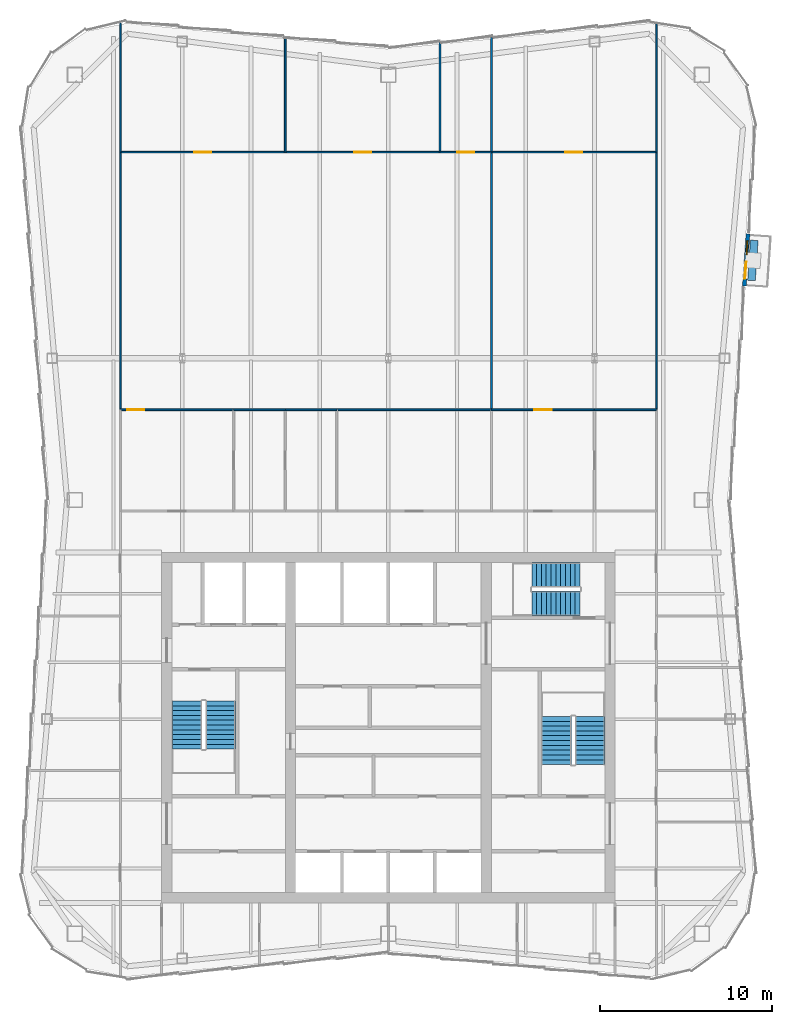
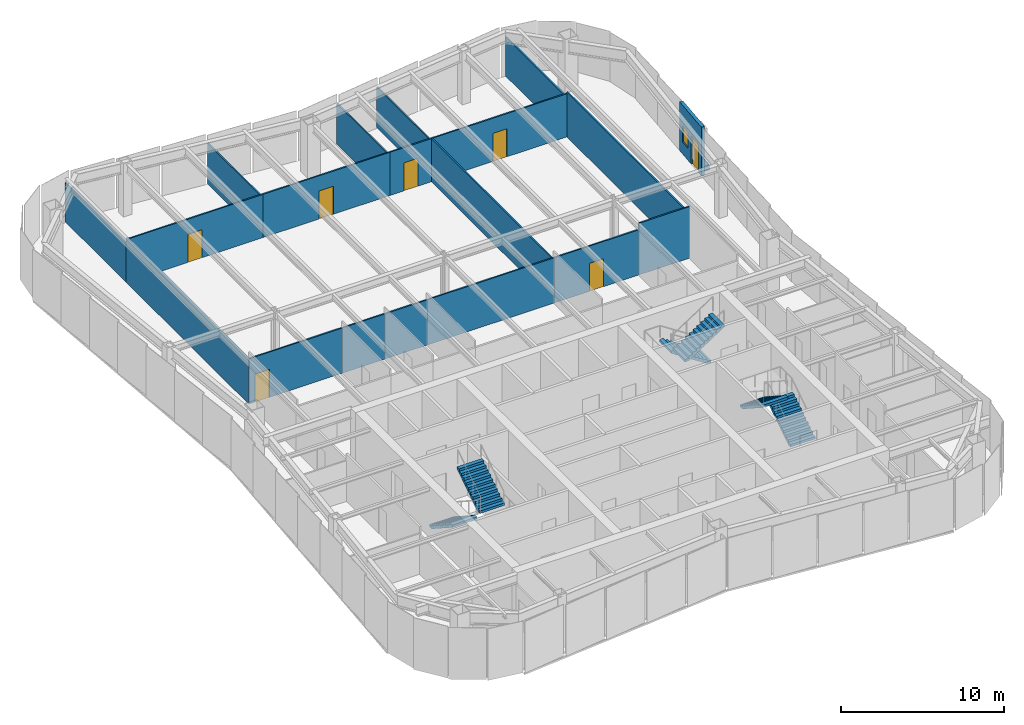
# One storey, part 8 of 10: 20 walls, 7 doors, 6 stair flights, 1 window, 8 openings, 3 elements without a shape of their own.
"""IFC4 building model written with IfcOpenShell, lengths in metres."""

from ifc_helpers import new_model, si_unit, direction, frame, frame_2d, origin, place, context, subcontext, project, spatial, polyline, rectangle, outline, extrude, material, layer, layer_set, type_object, element, fill, aggregate, save


model = new_model("IFC4")

# Units and contexts
model_context = context("Model", 3, precision=1e-05, world=origin(), true_north=direction((0.0, 1.0)))
body_context = subcontext(model_context, "Body", "Model", "MODEL_VIEW")
ifc_project = project(units=[si_unit("LENGTHUNIT", "METRE"), si_unit("AREAUNIT", "SQUARE_METRE"), si_unit("VOLUMEUNIT", "CUBIC_METRE"), si_unit("PLANEANGLEUNIT", "RADIAN"), si_unit("MASSUNIT", "GRAM", prefix="KILO")], contexts=[model_context])

# Site, building, storey
site_placement = place(None, origin())
site = spatial("IfcSite", under=ifc_project, at=site_placement, CompositionType="ELEMENT")
building_placement = place(site_placement, origin())
building = spatial("IfcBuilding", under=site, at=building_placement, Name="Verdant Reach Tower", CompositionType="ELEMENT")
storey_placement = place(building_placement, frame((0.0, 0.0, 310.0)))
storey = spatial("IfcBuildingStorey", under=building, at=storey_placement, Name="L71", CompositionType="ELEMENT", Elevation=310.0)

# Wall, openings, door, window
ifc_material_1 = material(Name="Insulated bronze aluminium panel wall", Category="aluminium")
ifc_layer_1 = layer(ifc_material_1, 0.219970703125)
ifc_layer_set_1 = layer_set([ifc_layer_1], Name="EN-INFILL WALL")
wall_type_1 = type_object("IfcWallType", Name="EN-INFILL WALL", PredefinedType="SOLIDWALL", material=ifc_layer_set_1)
wall_1_placement = place(storey_placement, frame((20.724365234375, 53.70556640625, 0.0), z_axis=(0.0, 0.0, 1.0), x_axis=(0.068802091615, 0.997630328423, 0.0)))
wall_1 = element("IfcWall", 1, at=wall_1_placement, inside=storey, type_object=wall_type_1, Name="External infill wall, balcony bay 1, L71", PredefinedType="SOLIDWALL", context=body_context, shape_type="SweptSolid", body=[
    extrude(rectangle(XDim=3.044677734375, YDim=0.22998046875, at=frame_2d((1.5224609375, 0.0))), origin(), (0.0, 0.0, 1.0), 3.64990234375),
])
opening_1_placement = place(wall_1_placement, frame((0.414794921875, 0.0, 0.0)))
opening_1 = element("IfcOpeningElement", 2, at=opening_1_placement, cuts=wall_1, Name="Opening BD1", PredefinedType="OPENING", context=body_context, shape_type="SweptSolid", body=[
    extrude(rectangle(XDim=1.0, YDim=2.10009765625, at=frame_2d((0.5, 1.050048828125))), frame((0.0, 0.125, 0.0), z_axis=(0.0, -1.0, 0.0), x_axis=(1.0, 0.0, 0.0)), (0.0, 0.0, 1.0), 0.25),
])
opening_2_placement = place(wall_1_placement, frame((1.82958984375, 0.0, 0.89990234375)))
opening_2 = element("IfcOpeningElement", 3, at=opening_2_placement, cuts=wall_1, Name="Opening BW1", PredefinedType="OPENING", context=body_context, shape_type="SweptSolid", body=[
    extrude(rectangle(XDim=0.800048828125, YDim=1.199951171875, at=frame_2d((0.39990234375, 0.60009765625))), frame((0.0, 0.125, 0.0), z_axis=(0.0, -1.0, 0.0), x_axis=(1.0, 0.0, 0.0)), (0.0, 0.0, 1.0), 0.25),
])
ifc_material_2 = material(Name="Aluminium framed glazed door", Category="aluminium")
door_type_1 = type_object("IfcDoorType", Name="EN-DOOR BALCONY", OperationType="NOTDEFINED", PredefinedType="DOOR", material=ifc_material_2)
door_1_placement = place(opening_1_placement, origin())
door_1 = element("IfcDoor", 4, at=door_1_placement, inside=storey, type_object=door_type_1, Name="Balcony door 1, L71", OperationType="SINGLE_SWING_LEFT", OverallHeight=2.10009765625, OverallWidth=1.0, PredefinedType="DOOR", context=body_context, shape_type="SweptSolid", body=[
    extrude(rectangle(XDim=1.0, YDim=2.10009765625, at=frame_2d((0.5, 1.050048828125))), frame((0.0, 0.02490234375, 0.0), z_axis=(0.0, -1.0, 0.0), x_axis=(1.0, 0.0, 0.0)), (0.0, 0.0, 1.0), 0.050048828125),
])
fill(opening_1, door_1)
ifc_material_3 = material(Name="Aluminium framed glazing", Category="aluminium")
window_type = type_object("IfcWindowType", Name="EN-WINDOW BALCONY", PartitioningType="SINGLE_PANEL", PredefinedType="WINDOW", material=ifc_material_3)
window_placement = place(opening_2_placement, origin())
window = element("IfcWindow", 5, at=window_placement, inside=storey, type_object=window_type, Name="Balcony window 1, L71", OverallHeight=1.199951171875, OverallWidth=0.800048828125, PartitioningType="SINGLE_PANEL", PredefinedType="WINDOW", context=body_context, shape_type="SweptSolid", body=[
    extrude(rectangle(XDim=0.800048828125, YDim=1.199951171875, at=frame_2d((0.39990234375, 0.60009765625))), frame((0.0, 0.030029296875, 0.0), z_axis=(0.0, -1.0, 0.0), x_axis=(1.0, 0.0, 0.0)), (0.0, 0.0, 1.0), 0.06005859375),
])
fill(opening_2, window)

# Walls
ifc_material_4 = material(Name="Precast concrete C30/37", Category="concrete")
ifc_layer_2 = layer(ifc_material_4, 0.449951171875)
ifc_layer_set_2 = layer_set([ifc_layer_2], Name="EN-PLANTER")
wall_type_2 = type_object("IfcWallType", Name="EN-PLANTER", PredefinedType="USERDEFINED", material=ifc_layer_set_2)
wall_2_placement = place(storey_placement, frame((21.137451171875, 54.02783203125, 0.0), z_axis=(0.0, 0.0, 1.0), x_axis=(0.068827106414, 0.997628602949, 0.0)))
element("IfcWall", 6, at=wall_2_placement, inside=storey, type_object=wall_type_2, Name="Balcony planter 1, L71", ObjectType="PLANTER", PredefinedType="USERDEFINED", context=body_context, shape_type="SweptSolid", body=[
    extrude(rectangle(XDim=2.3447265625, YDim=0.449951171875, at=frame_2d((1.17236328125, 0.0))), origin(), (0.0, 0.0, 1.0), 0.39990234375),
])
ifc_material_5 = material(Name="Gypsum board on steel studs", Category="steel")
ifc_layer_3 = layer(ifc_material_5, 0.10009765625)
ifc_layer_set_3 = layer_set([ifc_layer_3], Name="FL-W1 Partition 100")
wall_type_3 = type_object("IfcWallType", Name="FL-W1 Partition 100", PredefinedType="PARTITIONING", material=ifc_layer_set_3)
wall_3_placement = place(storey_placement, frame((-15.60009765625, 46.5, 0.0), z_axis=(0.0, 0.0, 1.0), x_axis=(0.0, 1.0, 0.0)))
element("IfcWall", 7, at=wall_3_placement, inside=storey, type_object=wall_type_3, Name="Partition 71.21", PredefinedType="PARTITIONING", context=body_context, shape_type="SweptSolid", body=[
    extrude(rectangle(XDim=15.0, YDim=0.10009765625, at=frame_2d((7.5, 0.0))), origin(), (0.0, 0.0, 1.0), 3.35009765625),
])
wall_4_placement = place(storey_placement, frame((-15.60009765625, 61.5, 0.0), z_axis=(0.0, 0.0, 1.0), x_axis=(0.0, 1.0, 0.0)))
element("IfcWall", 8, at=wall_4_placement, inside=storey, type_object=wall_type_3, Name="Partition 71.22", PredefinedType="PARTITIONING", context=body_context, shape_type="SweptSolid", body=[
    extrude(rectangle(XDim=7.510498046875, YDim=0.10009765625, at=frame_2d((3.75537109375, 0.0))), origin(), (0.0, 0.0, 1.0), 2.929931640625),
])
wall_5_placement = place(storey_placement, frame((15.60009765625, 61.5, 0.0), z_axis=(0.0, 0.0, 1.0), x_axis=(0.0, -1.0, 0.0)))
element("IfcWall", 9, at=wall_5_placement, inside=storey, type_object=wall_type_3, Name="Partition 71.29", PredefinedType="PARTITIONING", context=body_context, shape_type="SweptSolid", body=[
    extrude(rectangle(XDim=15.0, YDim=0.10009765625, at=frame_2d((7.5, 0.0))), origin(), (0.0, 0.0, 1.0), 3.35009765625),
])
wall_6_placement = place(storey_placement, frame((15.60009765625, 69.010498046875, 0.0), z_axis=(0.0, 0.0, 1.0), x_axis=(0.0, -1.0, 0.0)))
element("IfcWall", 10, at=wall_6_placement, inside=storey, type_object=wall_type_3, Name="Partition 71.30", PredefinedType="PARTITIONING", context=body_context, shape_type="SweptSolid", body=[
    extrude(rectangle(XDim=7.510498046875, YDim=0.10009765625, at=frame_2d((3.75537109375, 0.0))), origin(), (0.0, 0.0, 1.0), 2.929931640625),
])

# Wall, opening, door
wall_7_placement = place(storey_placement, frame((-15.60009765625, 46.5, 0.0), z_axis=(0.0, 0.0, 1.0), x_axis=(1.0, 0.0, 0.0)))
wall_7 = element("IfcWall", 11, at=wall_7_placement, inside=storey, type_object=wall_type_3, Name="Partition 71.35", PredefinedType="PARTITIONING", context=body_context, shape_type="SweptSolid", body=[
    extrude(rectangle(XDim=6.60400390625, YDim=0.10009765625, at=frame_2d((3.302001953125, 0.0))), origin(), (0.0, 0.0, 1.0), 3.389892578125),
])
opening_3_placement = place(wall_7_placement, frame((0.402099609375, 0.0, 0.0)))
opening_3 = element("IfcOpeningElement", 12, at=opening_3_placement, cuts=wall_7, Name="Opening D3", PredefinedType="OPENING", context=body_context, shape_type="SweptSolid", body=[
    extrude(rectangle(XDim=1.0, YDim=2.10009765625, at=frame_2d((0.5, 1.050048828125))), frame((0.0, 0.06005859375, 0.0), z_axis=(0.0, -1.0, 0.0), x_axis=(1.0, 0.0, 0.0)), (0.0, 0.0, 1.0), 0.1201171875),
])
ifc_material_6 = material(Name="Painted timber door leaf", Category="wood")
door_type_2 = type_object("IfcDoorType", Name="FL-D3 Door 1000x2100", OperationType="NOTDEFINED", PredefinedType="DOOR", material=ifc_material_6)
door_2_placement = place(opening_3_placement, origin())
door_2 = element("IfcDoor", 13, at=door_2_placement, inside=storey, type_object=door_type_2, Name="Door 71-018", OperationType="SINGLE_SWING_LEFT", OverallHeight=2.10009765625, OverallWidth=1.0, PredefinedType="DOOR", context=body_context, shape_type="SweptSolid", body=[
    extrude(rectangle(XDim=1.0, YDim=2.10009765625, at=frame_2d((0.5, 1.050048828125))), frame((0.0, 0.02490234375, 0.0), z_axis=(0.0, -1.0, 0.0), x_axis=(1.0, 0.0, 0.0)), (0.0, 0.0, 1.0), 0.050048828125),
])
fill(opening_3, door_2)

# Walls
for number, where, z_axis, x_axis, name in (
    (14, (-5.99609375, 46.5, 0.0), (0.0, 0.0, 1.0), (-1.0, 0.0, 0.0), "Partition 71.37"),
    (15, (-2.99609375, 46.5, 0.0), (0.0, 0.0, 1.0), (-1.0, 0.0, 0.0), "Partition 71.39"),
):
    element("IfcWall", number, at=place(storey_placement, frame(where, z_axis=z_axis, x_axis=x_axis)), inside=storey, type_object=wall_type_3, Name=name, PredefinedType="PARTITIONING", context=body_context, shape_type="SweptSolid", body=[
        extrude(rectangle(XDim=3.0078125, YDim=0.10009765625, at=frame_2d((1.50390625, 0.0))), origin(), (0.0, 0.0, 1.0), 3.389892578125),
    ])
wall_8_placement = place(storey_placement, frame((6.0, 46.5, 0.0), z_axis=(0.0, 0.0, 1.0), x_axis=(-1.0, 0.0, 0.0)))
element("IfcWall", 16, at=wall_8_placement, inside=storey, type_object=wall_type_3, Name="Partition 71.40", PredefinedType="PARTITIONING", context=body_context, shape_type="SweptSolid", body=[
    extrude(rectangle(XDim=9.00390625, YDim=0.10009765625, at=frame_2d((4.501953125, 0.0))), origin(), (0.0, 0.0, 1.0), 3.389892578125),
])

# Wall, opening, door
wall_9_placement = place(storey_placement, frame((-15.60009765625, 61.5, 0.0), z_axis=(0.0, 0.0, 1.0), x_axis=(1.0, 0.0, 0.0)))
wall_9 = element("IfcWall", 17, at=wall_9_placement, inside=storey, type_object=wall_type_3, Name="Partition 71.42", PredefinedType="PARTITIONING", context=body_context, shape_type="SweptSolid", body=[
    extrude(rectangle(XDim=9.60009765625, YDim=0.10009765625, at=frame_2d((4.800048828125, 0.0))), origin(), (0.0, 0.0, 1.0), 3.239990234375),
])
opening_4_placement = place(wall_9_placement, frame((4.300048828125, 0.0, 0.0)))
opening_4 = element("IfcOpeningElement", 18, at=opening_4_placement, cuts=wall_9, Name="Opening D3", PredefinedType="OPENING", context=body_context, shape_type="SweptSolid", body=[
    extrude(rectangle(XDim=1.0, YDim=2.10009765625, at=frame_2d((0.5, 1.050048828125))), frame((0.0, 0.06005859375, 0.0), z_axis=(0.0, -1.0, 0.0), x_axis=(1.0, 0.0, 0.0)), (0.0, 0.0, 1.0), 0.1201171875),
])
door_3_placement = place(opening_4_placement, origin())
door_3 = element("IfcDoor", 19, at=door_3_placement, inside=storey, type_object=door_type_2, Name="Door 71-020", OperationType="SINGLE_SWING_RIGHT", OverallHeight=2.10009765625, OverallWidth=1.0, PredefinedType="DOOR", context=body_context, shape_type="SweptSolid", body=[
    extrude(rectangle(XDim=1.0, YDim=2.10009765625, at=frame_2d((0.5, 1.050048828125))), frame((0.0, 0.02490234375, 0.0), z_axis=(0.0, -1.0, 0.0), x_axis=(1.0, 0.0, 0.0)), (0.0, 0.0, 1.0), 0.050048828125),
])
fill(opening_4, door_3)

wall_10_placement = place(storey_placement, frame((-6.0, 61.5, 0.0), z_axis=(0.0, 0.0, 1.0), x_axis=(1.0, 0.0, 0.0)))
wall_10 = element("IfcWall", 20, at=wall_10_placement, inside=storey, type_object=wall_type_3, Name="Partition 71.43", PredefinedType="PARTITIONING", context=body_context, shape_type="SweptSolid", body=[
    extrude(rectangle(XDim=9.0, YDim=0.10009765625, at=frame_2d((4.5, 0.0))), origin(), (0.0, 0.0, 1.0), 3.239990234375),
])
opening_5_placement = place(wall_10_placement, frame((4.0, 0.0, 0.0)))
opening_5 = element("IfcOpeningElement", 21, at=opening_5_placement, cuts=wall_10, Name="Opening D3", PredefinedType="OPENING", context=body_context, shape_type="SweptSolid", body=[
    extrude(rectangle(XDim=1.0, YDim=2.10009765625, at=frame_2d((0.5, 1.050048828125))), frame((0.0, 0.06005859375, 0.0), z_axis=(0.0, -1.0, 0.0), x_axis=(1.0, 0.0, 0.0)), (0.0, 0.0, 1.0), 0.1201171875),
])
door_4_placement = place(opening_5_placement, origin())
door_4 = element("IfcDoor", 22, at=door_4_placement, inside=storey, type_object=door_type_2, Name="Door 71-021", OperationType="SINGLE_SWING_LEFT", OverallHeight=2.10009765625, OverallWidth=1.0, PredefinedType="DOOR", context=body_context, shape_type="SweptSolid", body=[
    extrude(rectangle(XDim=1.0, YDim=2.10009765625, at=frame_2d((0.5, 1.050048828125))), frame((0.0, 0.02490234375, 0.0), z_axis=(0.0, -1.0, 0.0), x_axis=(1.0, 0.0, 0.0)), (0.0, 0.0, 1.0), 0.050048828125),
])
fill(opening_5, door_4)

wall_11_placement = place(storey_placement, frame((3.0, 61.5, 0.0), z_axis=(0.0, 0.0, 1.0), x_axis=(1.0, 0.0, 0.0)))
wall_11 = element("IfcWall", 23, at=wall_11_placement, inside=storey, type_object=wall_type_3, Name="Partition 71.44", PredefinedType="PARTITIONING", context=body_context, shape_type="SweptSolid", body=[
    extrude(rectangle(XDim=3.0, YDim=0.10009765625, at=frame_2d((1.5, 0.0))), origin(), (0.0, 0.0, 1.0), 3.239990234375),
])
opening_6_placement = place(wall_11_placement, frame((1.0, 0.0, 0.0)))
opening_6 = element("IfcOpeningElement", 24, at=opening_6_placement, cuts=wall_11, Name="Opening D3", PredefinedType="OPENING", context=body_context, shape_type="SweptSolid", body=[
    extrude(rectangle(XDim=1.0, YDim=2.10009765625, at=frame_2d((0.5, 1.050048828125))), frame((0.0, 0.06005859375, 0.0), z_axis=(0.0, -1.0, 0.0), x_axis=(1.0, 0.0, 0.0)), (0.0, 0.0, 1.0), 0.1201171875),
])
door_5_placement = place(opening_6_placement, origin())
door_5 = element("IfcDoor", 25, at=door_5_placement, inside=storey, type_object=door_type_2, Name="Door 71-022", OperationType="SINGLE_SWING_RIGHT", OverallHeight=2.10009765625, OverallWidth=1.0, PredefinedType="DOOR", context=body_context, shape_type="SweptSolid", body=[
    extrude(rectangle(XDim=1.0, YDim=2.10009765625, at=frame_2d((0.5, 1.050048828125))), frame((0.0, 0.02490234375, 0.0), z_axis=(0.0, -1.0, 0.0), x_axis=(1.0, 0.0, 0.0)), (0.0, 0.0, 1.0), 0.050048828125),
])
fill(opening_6, door_5)

# Walls
wall_12_placement = place(storey_placement, frame((6.0, 46.5, 0.0), z_axis=(0.0, 0.0, 1.0), x_axis=(0.0, 1.0, 0.0)))
element("IfcWall", 26, at=wall_12_placement, inside=storey, type_object=wall_type_3, Name="Partition 71.45", PredefinedType="PARTITIONING", context=body_context, shape_type="SweptSolid", body=[
    extrude(rectangle(XDim=15.0, YDim=0.10009765625, at=frame_2d((7.5, 0.0))), origin(), (0.0, 0.0, 1.0), 3.239990234375),
])
wall_13_placement = place(storey_placement, frame((-6.0, 61.5, 0.0), z_axis=(0.0, 0.0, 1.0), x_axis=(0.0, 1.0, 0.0)))
element("IfcWall", 27, at=wall_13_placement, inside=storey, type_object=wall_type_3, Name="Partition 71.46", PredefinedType="PARTITIONING", context=body_context, shape_type="SweptSolid", body=[
    extrude(rectangle(XDim=6.670166015625, YDim=0.10009765625, at=frame_2d((3.3349609375, 0.0))), origin(), (0.0, 0.0, 1.0), 3.0400390625),
])
wall_14_placement = place(storey_placement, frame((3.0, 61.5, 0.0), z_axis=(0.0, 0.0, 1.0), x_axis=(0.0, 1.0, 0.0)))
element("IfcWall", 28, at=wall_14_placement, inside=storey, type_object=wall_type_3, Name="Partition 71.47", PredefinedType="PARTITIONING", context=body_context, shape_type="SweptSolid", body=[
    extrude(rectangle(XDim=6.375, YDim=0.10009765625, at=frame_2d((3.1875, 0.0))), origin(), (0.0, 0.0, 1.0), 3.0400390625),
])
wall_15_placement = place(storey_placement, frame((6.0, 61.5, 0.0), z_axis=(0.0, 0.0, 1.0), x_axis=(0.0, 1.0, 0.0)))
element("IfcWall", 29, at=wall_15_placement, inside=storey, type_object=wall_type_3, Name="Partition 71.48", PredefinedType="PARTITIONING", context=body_context, shape_type="SweptSolid", body=[
    extrude(rectangle(XDim=6.670166015625, YDim=0.10009765625, at=frame_2d((3.3349609375, 0.0))), origin(), (0.0, 0.0, 1.0), 3.0400390625),
])

# Wall, opening, door
wall_16_placement = place(storey_placement, frame((6.0, 46.5, 0.0), z_axis=(0.0, 0.0, 1.0), x_axis=(1.0, 0.0, 0.0)))
wall_16 = element("IfcWall", 30, at=wall_16_placement, inside=storey, type_object=wall_type_3, Name="Partition 71.50", PredefinedType="PARTITIONING", context=body_context, shape_type="SweptSolid", body=[
    extrude(rectangle(XDim=6.00390625, YDim=0.10009765625, at=frame_2d((3.001953125, 0.0))), origin(), (0.0, 0.0, 1.0), 3.389892578125),
])
opening_7_placement = place(wall_16_placement, frame((2.501953125, 0.0, 0.0)))
opening_7 = element("IfcOpeningElement", 31, at=opening_7_placement, cuts=wall_16, Name="Opening D3", PredefinedType="OPENING", context=body_context, shape_type="SweptSolid", body=[
    extrude(rectangle(XDim=1.0, YDim=2.10009765625, at=frame_2d((0.5, 1.050048828125))), frame((0.0, 0.06005859375, 0.0), z_axis=(0.0, -1.0, 0.0), x_axis=(1.0, 0.0, 0.0)), (0.0, 0.0, 1.0), 0.1201171875),
])
door_6_placement = place(opening_7_placement, origin())
door_6 = element("IfcDoor", 32, at=door_6_placement, inside=storey, type_object=door_type_2, Name="Door 71-024", OperationType="SINGLE_SWING_RIGHT", OverallHeight=2.10009765625, OverallWidth=1.0, PredefinedType="DOOR", context=body_context, shape_type="SweptSolid", body=[
    extrude(rectangle(XDim=1.0, YDim=2.10009765625, at=frame_2d((0.5, 1.050048828125))), frame((0.0, 0.02490234375, 0.0), z_axis=(0.0, -1.0, 0.0), x_axis=(1.0, 0.0, 0.0)), (0.0, 0.0, 1.0), 0.050048828125),
])
fill(opening_7, door_6)

# Wall
wall_17_placement = place(storey_placement, frame((15.60009765625, 46.5, 0.0), z_axis=(0.0, 0.0, 1.0), x_axis=(-1.0, 0.0, 0.0)))
element("IfcWall", 33, at=wall_17_placement, inside=storey, type_object=wall_type_3, Name="Partition 71.51", PredefinedType="PARTITIONING", context=body_context, shape_type="SweptSolid", body=[
    extrude(rectangle(XDim=3.60400390625, YDim=0.10009765625, at=frame_2d((1.802001953125, 0.0))), origin(), (0.0, 0.0, 1.0), 3.8701171875),
])

# Wall, opening, door
wall_18_placement = place(storey_placement, frame((6.0, 61.5, 0.0), z_axis=(0.0, 0.0, 1.0), x_axis=(1.0, 0.0, 0.0)))
wall_18 = element("IfcWall", 34, at=wall_18_placement, inside=storey, type_object=wall_type_3, Name="Partition 71.52", PredefinedType="PARTITIONING", context=body_context, shape_type="SweptSolid", body=[
    extrude(rectangle(XDim=9.60009765625, YDim=0.10009765625, at=frame_2d((4.800048828125, 0.0))), origin(), (0.0, 0.0, 1.0), 3.239990234375),
])
opening_8_placement = place(wall_18_placement, frame((4.300048828125, 0.0, 0.0)))
opening_8 = element("IfcOpeningElement", 35, at=opening_8_placement, cuts=wall_18, Name="Opening D3", PredefinedType="OPENING", context=body_context, shape_type="SweptSolid", body=[
    extrude(rectangle(XDim=1.0, YDim=2.10009765625, at=frame_2d((0.5, 1.050048828125))), frame((0.0, 0.06005859375, 0.0), z_axis=(0.0, -1.0, 0.0), x_axis=(1.0, 0.0, 0.0)), (0.0, 0.0, 1.0), 0.1201171875),
])
door_7_placement = place(opening_8_placement, origin())
door_7 = element("IfcDoor", 36, at=door_7_placement, inside=storey, type_object=door_type_2, Name="Door 71-025", OperationType="SINGLE_SWING_LEFT", OverallHeight=2.10009765625, OverallWidth=1.0, PredefinedType="DOOR", context=body_context, shape_type="SweptSolid", body=[
    extrude(rectangle(XDim=1.0, YDim=2.10009765625, at=frame_2d((0.5, 1.050048828125))), frame((0.0, 0.02490234375, 0.0), z_axis=(0.0, -1.0, 0.0), x_axis=(1.0, 0.0, 0.0)), (0.0, 0.0, 1.0), 0.050048828125),
])
fill(opening_8, door_7)

# Stair, stair flights
ifc_material_7 = material(Name="Concrete C40/50", Category="concrete")
stair_type = type_object("IfcStairType", Name="CO-STAIR", PredefinedType="HALF_TURN_STAIR", material=ifc_material_7)
stair_1_placement = place(storey_placement, origin())
stair_1 = element("IfcStair", 37, at=stair_1_placement, inside=storey, type_object=stair_type, Name="L71 Exit stair 1", PredefinedType="HALF_TURN_STAIR")
stair_flight_type = type_object("IfcStairFlightType", Name="CO-STAIR-FLIGHT", PredefinedType="STRAIGHT", material=ifc_material_7)
stair_flight_1_placement = place(storey_placement, frame((-11.72509765625, 29.550048828125, 0.0), z_axis=(0.0, 0.0, 1.0), x_axis=(0.0, -1.0, 0.0)))
stair_flight_1 = element("IfcStairFlight", 38, at=stair_flight_1_placement, type_object=stair_flight_type, Name="ST-1 flight 1", NumberOfRisers=11, NumberOfTreads=10, PredefinedType="STRAIGHT", RiserHeight=0.181818182, TreadLength=0.28, context=body_context, shape_type="SweptSolid", body=[
    extrude(outline(polyline([(0.0, 0.0), (0.0, 0.181884765625), (0.280029296875, 0.181884765625), (0.280029296875, 0.363525390625), (0.56005859375, 0.363525390625), (0.56005859375, 0.54541015625), (0.840087890625, 0.54541015625), (0.840087890625, 0.727294921875), (1.1201171875, 0.727294921875), (1.1201171875, 0.9091796875), (1.39990234375, 0.9091796875), (1.39990234375, 1.0908203125), (1.679931640625, 1.0908203125), (1.679931640625, 1.272705078125), (1.9599609375, 1.272705078125), (1.9599609375, 1.45458984375), (2.239990234375, 1.45458984375), (2.239990234375, 1.636474609375), (2.52001953125, 1.636474609375), (2.52001953125, 1.818115234375), (2.800048828125, 1.818115234375), (2.800048828125, 2.0), (2.800048828125, 1.639404296875), (0.275146484375, 0.0), (0.0, 0.0)])), frame((0.0, 0.875, 0.0), z_axis=(0.0, -1.0, 0.0), x_axis=(1.0, 0.0, 0.0)), (0.0, 0.0, 1.0), 1.75),
])
stair_flight_2_placement = place(storey_placement, frame((-9.77490234375, 26.75, 2.0), z_axis=(0.0, 0.0, 1.0), x_axis=(0.0, 1.0, 0.0)))
stair_flight_2 = element("IfcStairFlight", 39, at=stair_flight_2_placement, type_object=stair_flight_type, Name="ST-1 flight 2", NumberOfRisers=11, NumberOfTreads=10, PredefinedType="STRAIGHT", RiserHeight=0.181818182, TreadLength=0.28, context=body_context, shape_type="SweptSolid", body=[
    extrude(outline(polyline([(0.0, 0.0), (0.0, 0.181884765625), (0.280029296875, 0.181884765625), (0.280029296875, 0.363525390625), (0.56005859375, 0.363525390625), (0.56005859375, 0.54541015625), (0.840087890625, 0.54541015625), (0.840087890625, 0.727294921875), (1.1201171875, 0.727294921875), (1.1201171875, 0.9091796875), (1.39990234375, 0.9091796875), (1.39990234375, 1.0908203125), (1.679931640625, 1.0908203125), (1.679931640625, 1.272705078125), (1.9599609375, 1.272705078125), (1.9599609375, 1.45458984375), (2.239990234375, 1.45458984375), (2.239990234375, 1.636474609375), (2.52001953125, 1.636474609375), (2.52001953125, 1.818115234375), (2.800048828125, 1.818115234375), (2.800048828125, 2.0), (2.800048828125, 1.639404296875), (0.275146484375, 0.0), (0.0, 0.0)])), frame((0.0, 0.875, 0.0), z_axis=(0.0, -1.0, 0.0), x_axis=(1.0, 0.0, 0.0)), (0.0, 0.0, 1.0), 1.75),
])
aggregate(stair_1, [stair_flight_1, stair_flight_2])

stair_2_placement = place(storey_placement, origin())
stair_2 = element("IfcStair", 40, at=stair_2_placement, inside=storey, type_object=stair_type, Name="L71 Exit stair 2", PredefinedType="HALF_TURN_STAIR")
stair_flight_3_placement = place(storey_placement, frame((11.72509765625, 25.85009765625, 0.0), z_axis=(0.0, 0.0, 1.0), x_axis=(0.0, 1.0, 0.0)))
stair_flight_3 = element("IfcStairFlight", 41, at=stair_flight_3_placement, type_object=stair_flight_type, Name="ST-2 flight 1", NumberOfRisers=11, NumberOfTreads=10, PredefinedType="STRAIGHT", RiserHeight=0.181818182, TreadLength=0.28, context=body_context, shape_type="SweptSolid", body=[
    extrude(outline(polyline([(0.0, 0.0), (0.0, 0.181884765625), (0.280029296875, 0.181884765625), (0.280029296875, 0.363525390625), (0.56005859375, 0.363525390625), (0.56005859375, 0.54541015625), (0.840087890625, 0.54541015625), (0.840087890625, 0.727294921875), (1.1201171875, 0.727294921875), (1.1201171875, 0.9091796875), (1.39990234375, 0.9091796875), (1.39990234375, 1.0908203125), (1.679931640625, 1.0908203125), (1.679931640625, 1.272705078125), (1.9599609375, 1.272705078125), (1.9599609375, 1.45458984375), (2.239990234375, 1.45458984375), (2.239990234375, 1.636474609375), (2.52001953125, 1.636474609375), (2.52001953125, 1.818115234375), (2.800048828125, 1.818115234375), (2.800048828125, 2.0), (2.800048828125, 1.639404296875), (0.275146484375, 0.0), (0.0, 0.0)])), frame((0.0, 0.875, 0.0), z_axis=(0.0, -1.0, 0.0), x_axis=(1.0, 0.0, 0.0)), (0.0, 0.0, 1.0), 1.75),
])
stair_flight_4_placement = place(storey_placement, frame((9.77490234375, 28.64990234375, 2.0), z_axis=(0.0, 0.0, 1.0), x_axis=(0.0, -1.0, 0.0)))
stair_flight_4 = element("IfcStairFlight", 42, at=stair_flight_4_placement, type_object=stair_flight_type, Name="ST-2 flight 2", NumberOfRisers=11, NumberOfTreads=10, PredefinedType="STRAIGHT", RiserHeight=0.181818182, TreadLength=0.28, context=body_context, shape_type="SweptSolid", body=[
    extrude(outline(polyline([(0.0, 0.0), (0.0, 0.181884765625), (0.280029296875, 0.181884765625), (0.280029296875, 0.363525390625), (0.56005859375, 0.363525390625), (0.56005859375, 0.54541015625), (0.840087890625, 0.54541015625), (0.840087890625, 0.727294921875), (1.1201171875, 0.727294921875), (1.1201171875, 0.9091796875), (1.39990234375, 0.9091796875), (1.39990234375, 1.0908203125), (1.679931640625, 1.0908203125), (1.679931640625, 1.272705078125), (1.9599609375, 1.272705078125), (1.9599609375, 1.45458984375), (2.239990234375, 1.45458984375), (2.239990234375, 1.636474609375), (2.52001953125, 1.636474609375), (2.52001953125, 1.818115234375), (2.800048828125, 1.818115234375), (2.800048828125, 2.0), (2.800048828125, 1.639404296875), (0.275146484375, 0.0), (0.0, 0.0)])), frame((0.0, 0.875, 0.0), z_axis=(0.0, -1.0, 0.0), x_axis=(1.0, 0.0, 0.0)), (0.0, 0.0, 1.0), 1.75),
])
aggregate(stair_2, [stair_flight_3, stair_flight_4])

stair_3_placement = place(storey_placement, origin())
stair_3 = element("IfcStair", 43, at=stair_3_placement, inside=storey, type_object=stair_type, Name="L71 Exit stair 3", PredefinedType="HALF_TURN_STAIR")
stair_flight_5_placement = place(storey_placement, frame((11.14990234375, 36.875, 0.0), z_axis=(0.0, 0.0, 1.0), x_axis=(-1.0, 0.0, 0.0)))
stair_flight_5 = element("IfcStairFlight", 44, at=stair_flight_5_placement, type_object=stair_flight_type, Name="ST-3 flight 1", NumberOfRisers=11, NumberOfTreads=10, PredefinedType="STRAIGHT", RiserHeight=0.181818182, TreadLength=0.28, context=body_context, shape_type="SweptSolid", body=[
    extrude(outline(polyline([(0.0, 0.0), (0.0, 0.181884765625), (0.280029296875, 0.181884765625), (0.280029296875, 0.363525390625), (0.56005859375, 0.363525390625), (0.56005859375, 0.54541015625), (0.840087890625, 0.54541015625), (0.840087890625, 0.727294921875), (1.1201171875, 0.727294921875), (1.1201171875, 0.9091796875), (1.39990234375, 0.9091796875), (1.39990234375, 1.0908203125), (1.679931640625, 1.0908203125), (1.679931640625, 1.272705078125), (1.9599609375, 1.272705078125), (1.9599609375, 1.45458984375), (2.239990234375, 1.45458984375), (2.239990234375, 1.636474609375), (2.52001953125, 1.636474609375), (2.52001953125, 1.818115234375), (2.800048828125, 1.818115234375), (2.800048828125, 2.0), (2.800048828125, 1.639404296875), (0.275146484375, 0.0), (0.0, 0.0)])), frame((0.0, 0.72509765625, 0.0), z_axis=(0.0, -1.0, 0.0), x_axis=(1.0, 0.0, 0.0)), (0.0, 0.0, 1.0), 1.449951171875),
])
stair_flight_6_placement = place(storey_placement, frame((8.35009765625, 35.22509765625, 2.0), z_axis=(0.0, 0.0, 1.0), x_axis=(1.0, 0.0, 0.0)))
stair_flight_6 = element("IfcStairFlight", 45, at=stair_flight_6_placement, type_object=stair_flight_type, Name="ST-3 flight 2", NumberOfRisers=11, NumberOfTreads=10, PredefinedType="STRAIGHT", RiserHeight=0.181818182, TreadLength=0.28, context=body_context, shape_type="SweptSolid", body=[
    extrude(outline(polyline([(0.0, 0.0), (0.0, 0.181884765625), (0.280029296875, 0.181884765625), (0.280029296875, 0.363525390625), (0.56005859375, 0.363525390625), (0.56005859375, 0.54541015625), (0.840087890625, 0.54541015625), (0.840087890625, 0.727294921875), (1.1201171875, 0.727294921875), (1.1201171875, 0.9091796875), (1.39990234375, 0.9091796875), (1.39990234375, 1.0908203125), (1.679931640625, 1.0908203125), (1.679931640625, 1.272705078125), (1.9599609375, 1.272705078125), (1.9599609375, 1.45458984375), (2.239990234375, 1.45458984375), (2.239990234375, 1.636474609375), (2.52001953125, 1.636474609375), (2.52001953125, 1.818115234375), (2.800048828125, 1.818115234375), (2.800048828125, 2.0), (2.800048828125, 1.639404296875), (0.275146484375, 0.0), (0.0, 0.0)])), frame((0.0, 0.72509765625, 0.0), z_axis=(0.0, -1.0, 0.0), x_axis=(1.0, 0.0, 0.0)), (0.0, 0.0, 1.0), 1.449951171875),
])
aggregate(stair_3, [stair_flight_5, stair_flight_6])

save(model, "model.ifc")
